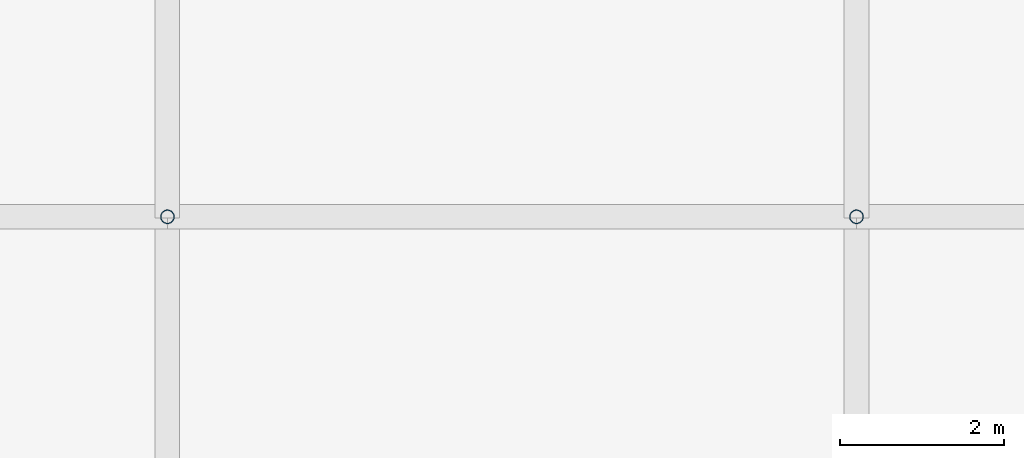
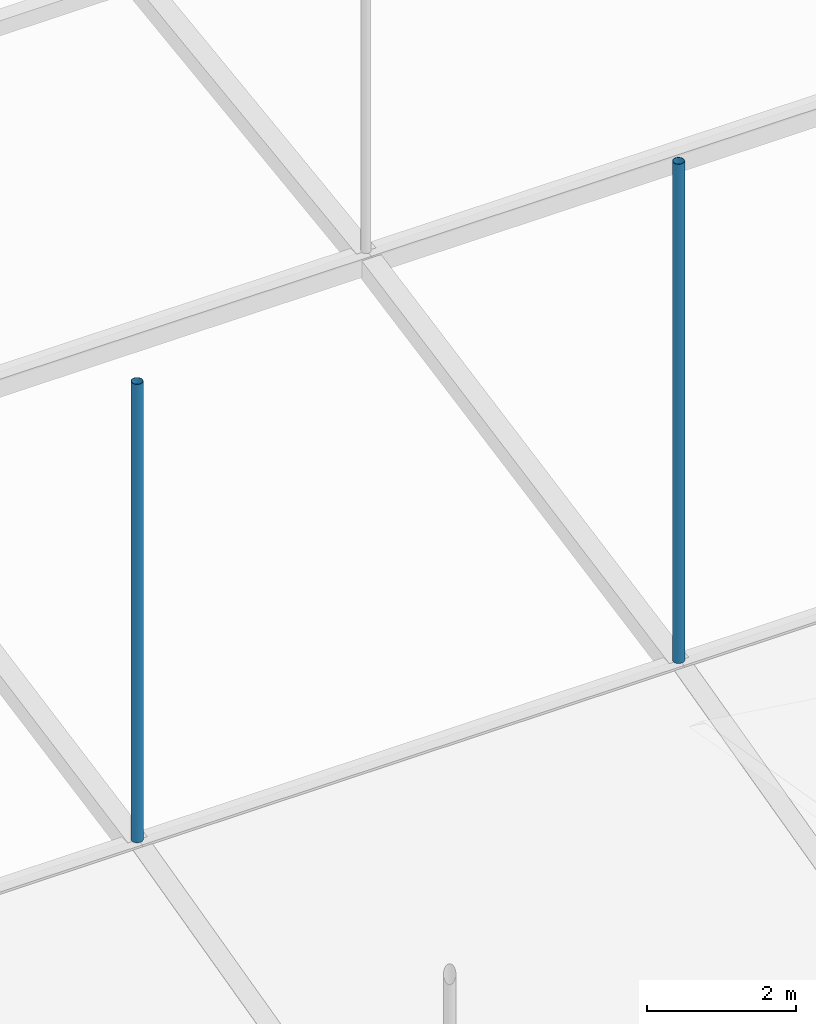
# One storey, part 32 of 111: 2 discrete accessories.
"""IFC4 building model written with IfcOpenShell, lengths in metres."""

from ifc_helpers import new_model, si_unit, direction, frame, origin, origin_2d, place, context, subcontext, project, spatial, hollow_circle, extrude, material, material_profile, profile_set, type_object, element, save


model = new_model("IFC4")

# Units and contexts
model_context = context("Model", 3, precision=1e-05, world=origin(), true_north=direction((0.0, 1.0)))
body_context = subcontext(model_context, "Body", "Model", "MODEL_VIEW")
ifc_project = project(units=[si_unit("LENGTHUNIT", "METRE"), si_unit("AREAUNIT", "SQUARE_METRE"), si_unit("VOLUMEUNIT", "CUBIC_METRE"), si_unit("PLANEANGLEUNIT", "RADIAN"), si_unit("MASSUNIT", "GRAM", prefix="KILO")], contexts=[model_context])

# Site, building, storey
site_placement = place(None, origin())
site = spatial("IfcSite", under=ifc_project, at=site_placement, CompositionType="ELEMENT")
building_placement = place(site_placement, origin())
building = spatial("IfcBuilding", under=site, at=building_placement, Name="Rain Tree Exposition and Congress Centre", CompositionType="ELEMENT")
storey_placement = place(building_placement, frame((0.0, 0.0, 19.5)))
storey = spatial("IfcBuildingStorey", under=building, at=storey_placement, Name="RF", CompositionType="ELEMENT", Elevation=19.5)

# Discrete accessories
ifc_material = material(Name="Steel S355J2H", Category="steel")
ifc_material_profile = material_profile(ifc_material, hollow_circle(Radius=0.084228515625, WallThickness=0.006103515625, at=origin_2d()), Name="CHS 168x6")
ifc_profile_set = profile_set([ifc_material_profile], Name="Steel S355J2H")
discrete_accessory_type = type_object("IfcDiscreteAccessoryType", Name="Roof skin post CHS 168x6", PredefinedType="BRACKET", material=ifc_profile_set)
discrete_accessory_1_placement = place(storey_placement, frame((67.199951171875, 117.60009765625, 3.22412109375), z_axis=(0.0, 0.0, 1.0), x_axis=(1.0, 0.0, 0.0)))
element("IfcDiscreteAccessory", 1, at=discrete_accessory_1_placement, inside=storey, type_object=discrete_accessory_type, Name="Roof skin post A38", PredefinedType="BRACKET", context=body_context, shape_type="SweptSolid", body=[
    extrude(hollow_circle(Radius=0.084228515625, WallThickness=0.006103515625, at=origin_2d()), origin(), (0.0, 0.0, 1.0), 7.518310546875),
])
discrete_accessory_2_placement = place(storey_placement, frame((75.60009765625, 117.60009765625, 3.22412109375), z_axis=(0.0, 0.0, 1.0), x_axis=(1.0, 0.0, 0.0)))
element("IfcDiscreteAccessory", 2, at=discrete_accessory_2_placement, inside=storey, type_object=discrete_accessory_type, Name="Roof skin post A39", PredefinedType="BRACKET", context=body_context, shape_type="SweptSolid", body=[
    extrude(hollow_circle(Radius=0.084228515625, WallThickness=0.006103515625, at=origin_2d()), origin(), (0.0, 0.0, 1.0), 8.187744140625),
])

save(model, "model.ifc")
